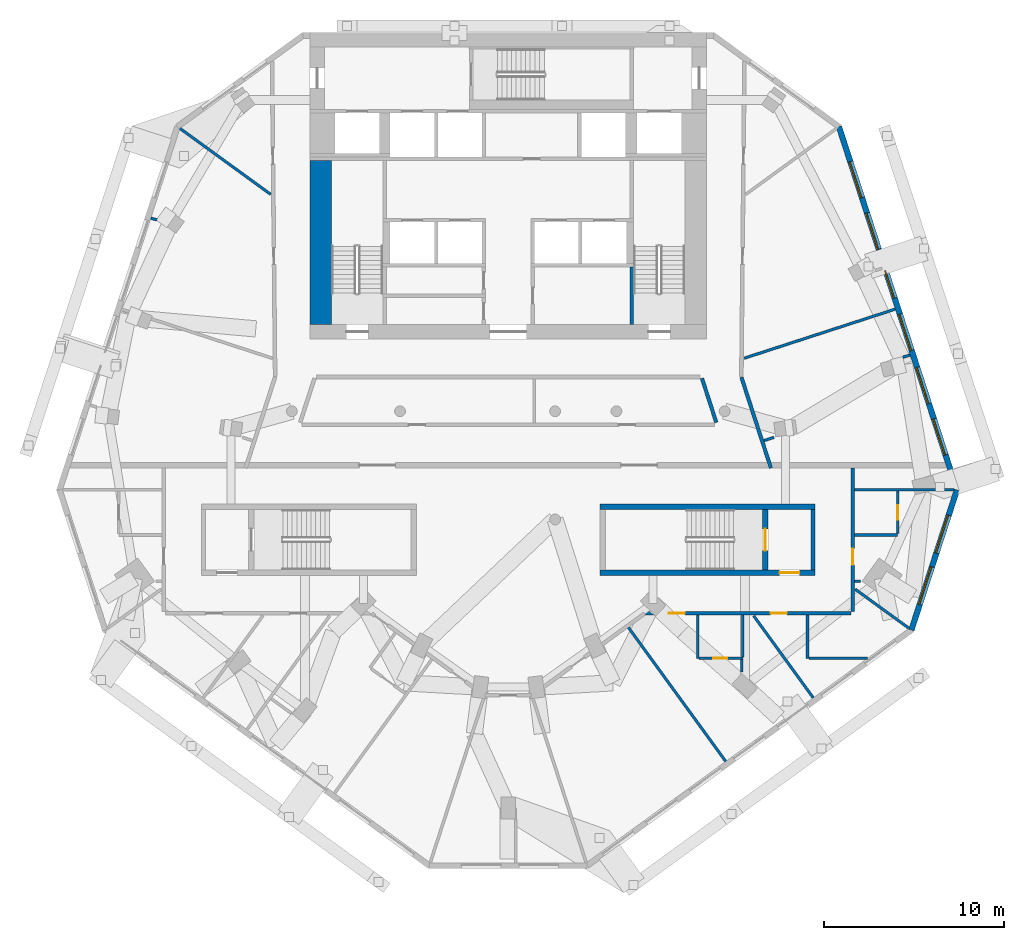
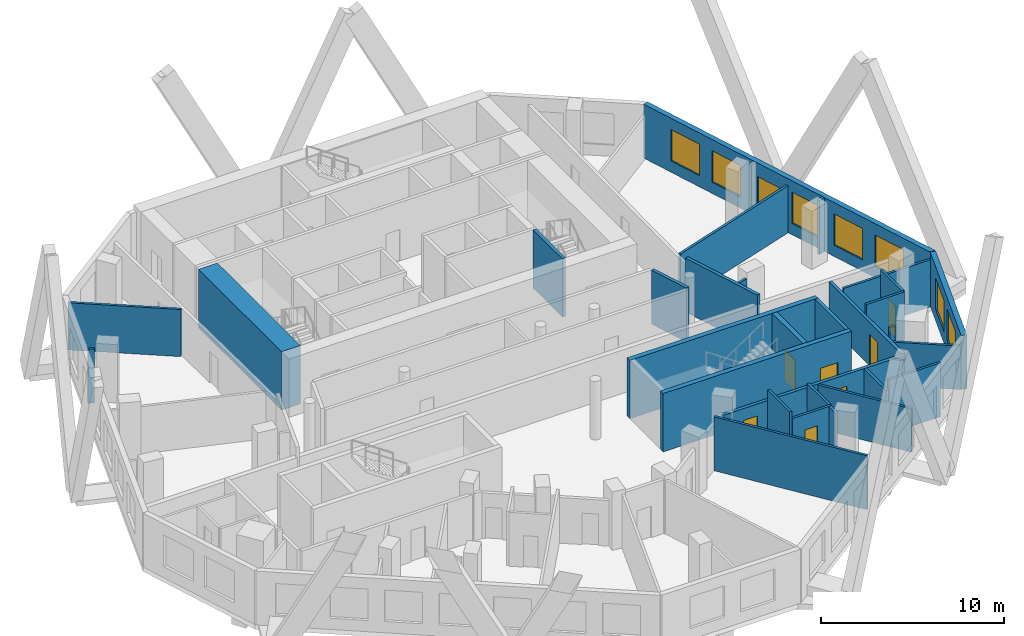
# One storey, part 6 of 10: 30 walls, 8 windows, 7 doors, 15 openings.
"""IFC4 building model written with IfcOpenShell, lengths in metres."""

from ifc_helpers import new_model, si_unit, direction, frame, frame_2d, origin, place, context, subcontext, project, spatial, rectangle, extrude, material, layer, layer_set, type_object, element, fill, save


model = new_model("IFC4")

# Units and contexts
model_context = context("Model", 3, precision=1e-05, world=origin(), true_north=direction((0.0, 1.0)))
body_context = subcontext(model_context, "Body", "Model", "MODEL_VIEW")
ifc_project = project(units=[si_unit("LENGTHUNIT", "METRE"), si_unit("AREAUNIT", "SQUARE_METRE"), si_unit("VOLUMEUNIT", "CUBIC_METRE"), si_unit("PLANEANGLEUNIT", "RADIAN"), si_unit("MASSUNIT", "GRAM", prefix="KILO")], contexts=[model_context])

# Site, building, storey
site_placement = place(None, origin())
site = spatial("IfcSite", under=ifc_project, at=site_placement, CompositionType="ELEMENT")
building_placement = place(site_placement, origin())
building = spatial("IfcBuilding", under=site, at=building_placement, Name="White Candle Pilgrim Tower", CompositionType="ELEMENT")
storey_placement = place(building_placement, frame((0.0, 0.0, 196.5)))
storey = spatial("IfcBuildingStorey", under=building, at=storey_placement, Name="L45", CompositionType="ELEMENT", Elevation=196.5)

# Walls
ifc_material_1 = material(Name="Concrete C50/60", Category="concrete")
ifc_layer_1 = layer(ifc_material_1, 0.199951171875)
ifc_layer_set_1 = layer_set([ifc_layer_1], Name="Core wall 200 mm Concrete C50/60")
wall_type_1 = type_object("IfcWallType", Name="Core wall 200 mm Concrete C50/60", PredefinedType="SHEAR", material=ifc_layer_set_1)
wall_1_placement = place(storey_placement, frame((86.89990234375, 58.199951171875, 0.0), z_axis=(0.0, 0.0, 1.0), x_axis=(0.0, 1.0, 0.0)))
element("IfcWall", 1, at=wall_1_placement, inside=storey, type_object=wall_type_1, Name="WL-L45-C08", PredefinedType="SHEAR", context=body_context, shape_type="SweptSolid", body=[
    extrude(rectangle(XDim=3.35009765625, YDim=0.199951171875, at=frame_2d((1.675048828125, 0.0))), origin(), (0.0, 0.0, 1.0), 3.89990234375),
])
ifc_material_2 = material(Name="Gypsum board on steel studs", Category="steel")
ifc_layer_2 = layer(ifc_material_2, 0.199951171875)
ifc_layer_set_2 = layer_set([ifc_layer_2], Name="Corridor wall 200 mm EI 45")
wall_type_2 = type_object("IfcWallType", Name="Corridor wall 200 mm EI 45", PredefinedType="PARTITIONING", material=ifc_layer_set_2)
wall_2_placement = place(storey_placement, frame((82.93310546875, 68.884521484375, 0.0), z_axis=(0.0, 0.0, 1.0), x_axis=(0.309009941901, -0.951058807754, 0.0)))
element("IfcWall", 2, at=wall_2_placement, inside=storey, type_object=wall_type_2, Name="WL-L45-P005", PredefinedType="PARTITIONING", context=body_context, shape_type="SweptSolid", body=[
    extrude(rectangle(XDim=5.29345703125, YDim=0.199951171875, at=frame_2d((2.646728515625, 0.0))), origin(), (0.0, 0.0, 1.0), 3.60009765625),
])

# Wall, opening, door
wall_3_placement = place(storey_placement, frame((89.10009765625, 63.85009765625, 0.0), z_axis=(0.0, 0.0, 1.0), x_axis=(0.0, -1.0, 0.0)))
wall_3 = element("IfcWall", 3, at=wall_3_placement, inside=storey, type_object=wall_type_2, Name="WL-L45-P006", PredefinedType="PARTITIONING", context=body_context, shape_type="SweptSolid", body=[
    extrude(rectangle(XDim=7.9501953125, YDim=0.199951171875, at=frame_2d((3.97509765625, 0.0))), origin(), (0.0, 0.0, 1.0), 2.89990234375),
])
opening_1_placement = place(wall_3_placement, frame((4.461181640625, 0.0, 0.0)))
opening_1 = element("IfcOpeningElement", 4, at=opening_1_placement, cuts=wall_3, Name="Opening T14-114", PredefinedType="OPENING", context=body_context, shape_type="SweptSolid", body=[
    extrude(rectangle(XDim=0.89990234375, YDim=2.10009765625, at=frame_2d((0.449951171875, 1.050048828125))), frame((0.0, 0.10986328125, 0.0), z_axis=(0.0, -1.0, 0.0), x_axis=(1.0, 0.0, 0.0)), (0.0, 0.0, 1.0), 0.219970703125),
])
ifc_material_3 = material(Name="Steel door leaf", Category="steel")
door_type_1 = type_object("IfcDoorType", Name="Fire door 900 x 2100 EI 30", OperationType="NOTDEFINED", PredefinedType="DOOR", material=ifc_material_3)
door_1_placement = place(opening_1_placement, origin())
door_1 = element("IfcDoor", 5, at=door_1_placement, inside=storey, type_object=door_type_1, Name="Door T14-114", OperationType="SINGLE_SWING_RIGHT", OverallHeight=2.10009765625, OverallWidth=0.89990234375, PredefinedType="DOOR", context=body_context, shape_type="SweptSolid", body=[
    extrude(rectangle(XDim=0.89990234375, YDim=2.10009765625, at=frame_2d((0.449951171875, 1.050048828125))), frame((0.0, 0.02490234375, 0.0), z_axis=(0.0, -1.0, 0.0), x_axis=(1.0, 0.0, 0.0)), (0.0, 0.0, 1.0), 0.050048828125),
])
fill(opening_1, door_1)

# Wall, openings, doors
wall_4_placement = place(storey_placement, frame((89.0, 55.800048828125, 0.0), z_axis=(0.0, 0.0, 1.0), x_axis=(-1.0, 0.0, 0.0)))
wall_4 = element("IfcWall", 6, at=wall_4_placement, inside=storey, type_object=wall_type_2, Name="WL-L45-P007", PredefinedType="PARTITIONING", context=body_context, shape_type="SweptSolid", body=[
    extrude(rectangle(XDim=11.382080078125, YDim=0.199951171875, at=frame_2d((5.69091796875, 0.0))), origin(), (0.0, 0.0, 1.0), 2.89990234375),
])
opening_2_placement = place(wall_4_placement, frame((9.20361328125, 0.0, 0.0)))
opening_2 = element("IfcOpeningElement", 7, at=opening_2_placement, cuts=wall_4, Name="Opening T14-111", PredefinedType="OPENING", context=body_context, shape_type="SweptSolid", body=[
    extrude(rectangle(XDim=0.89990234375, YDim=2.10009765625, at=frame_2d((0.449951171875, 1.050048828125))), frame((0.0, 0.10986328125, 0.0), z_axis=(0.0, -1.0, 0.0), x_axis=(1.0, 0.0, 0.0)), (0.0, 0.0, 1.0), 0.219970703125),
])
opening_3_placement = place(wall_4_placement, frame((3.54638671875, 0.0, 0.0)))
opening_3 = element("IfcOpeningElement", 8, at=opening_3_placement, cuts=wall_4, Name="Opening T14-112", PredefinedType="OPENING", context=body_context, shape_type="SweptSolid", body=[
    extrude(rectangle(XDim=0.89990234375, YDim=2.10009765625, at=frame_2d((0.449951171875, 1.050048828125))), frame((0.0, 0.10986328125, 0.0), z_axis=(0.0, -1.0, 0.0), x_axis=(1.0, 0.0, 0.0)), (0.0, 0.0, 1.0), 0.219970703125),
])
door_2_placement = place(opening_2_placement, origin())
door_2 = element("IfcDoor", 9, at=door_2_placement, inside=storey, type_object=door_type_1, Name="Door T14-111", OperationType="SINGLE_SWING_LEFT", OverallHeight=2.10009765625, OverallWidth=0.89990234375, PredefinedType="DOOR", context=body_context, shape_type="SweptSolid", body=[
    extrude(rectangle(XDim=0.89990234375, YDim=2.10009765625, at=frame_2d((0.449951171875, 1.050048828125))), frame((0.0, 0.02490234375, 0.0), z_axis=(0.0, -1.0, 0.0), x_axis=(1.0, 0.0, 0.0)), (0.0, 0.0, 1.0), 0.050048828125),
])
fill(opening_2, door_2)
door_3_placement = place(opening_3_placement, origin())
door_3 = element("IfcDoor", 10, at=door_3_placement, inside=storey, type_object=door_type_1, Name="Door T14-112", OperationType="SINGLE_SWING_RIGHT", OverallHeight=2.10009765625, OverallWidth=0.89990234375, PredefinedType="DOOR", context=body_context, shape_type="SweptSolid", body=[
    extrude(rectangle(XDim=0.89990234375, YDim=2.10009765625, at=frame_2d((0.449951171875, 1.050048828125))), frame((0.0, 0.02490234375, 0.0), z_axis=(0.0, -1.0, 0.0), x_axis=(1.0, 0.0, 0.0)), (0.0, 0.0, 1.0), 0.050048828125),
])
fill(opening_3, door_3)

# Wall
wall_5_placement = place(storey_placement, frame((81.538330078125, 66.380859375, 0.0), z_axis=(0.0, 0.0, 1.0), x_axis=(-0.309053927645, 0.951044515155, 0.0)))
element("IfcWall", 11, at=wall_5_placement, inside=storey, type_object=wall_type_2, Name="WL-L45-P014", PredefinedType="PARTITIONING", context=body_context, shape_type="SweptSolid", body=[
    extrude(rectangle(XDim=2.576171875, YDim=0.199951171875, at=frame_2d((1.2880859375, 0.0))), origin(), (0.0, 0.0, 1.0), 3.60009765625),
])

# Wall, openings, windows
ifc_material_4 = material(Name="Precast concrete C40/50", Category="concrete")
ifc_layer_3 = layer(ifc_material_4, 0.320068359375)
ifc_layer_set_3 = layer_set([ifc_layer_3], Name="Facade wall EW1 precast concrete C40/50 pier wall with timber-lined reveals")
wall_type_3 = type_object("IfcWallType", Name="Facade wall EW1 precast concrete C40/50 pier wall with timber-lined reveals", PredefinedType="SOLIDWALL", material=ifc_layer_set_3)
wall_6_placement = place(storey_placement, frame((92.361083984375, 54.86669921875, 0.0), z_axis=(0.0, 0.0, 1.0), x_axis=(0.309006387978, 0.951059962457, 0.0)))
wall_6 = element("IfcWall", 12, at=wall_6_placement, inside=storey, type_object=wall_type_3, Name="Facade wall L45 E chamfer", PredefinedType="SOLIDWALL", context=body_context, shape_type="SweptSolid", body=[
    extrude(rectangle(XDim=8.175048828125, YDim=0.320068359375, at=frame_2d((4.08740234375, 0.0))), origin(), (0.0, 0.0, 1.0), 3.60009765625),
])
opening_4_placement = place(wall_6_placement, frame((1.487548828125, 0.0, 0.75)))
opening_4 = element("IfcOpeningElement", 13, at=opening_4_placement, cuts=wall_6, Name="Opening W4", PredefinedType="OPENING", context=body_context, shape_type="SweptSolid", body=[
    extrude(rectangle(XDim=2.199951171875, YDim=2.10009765625, at=frame_2d((1.10009765625, 1.050048828125))), frame((0.0, 0.169921875, 0.0), z_axis=(0.0, -1.0, 0.0), x_axis=(1.0, 0.0, 0.0)), (0.0, 0.0, 1.0), 0.340087890625),
])
opening_5_placement = place(wall_6_placement, frame((4.487548828125, 0.0, 0.75)))
opening_5 = element("IfcOpeningElement", 14, at=opening_5_placement, cuts=wall_6, Name="Opening W4", PredefinedType="OPENING", context=body_context, shape_type="SweptSolid", body=[
    extrude(rectangle(XDim=2.199951171875, YDim=2.10009765625, at=frame_2d((1.10009765625, 1.050048828125))), frame((0.0, 0.169921875, 0.0), z_axis=(0.0, -1.0, 0.0), x_axis=(1.0, 0.0, 0.0)), (0.0, 0.0, 1.0), 0.340087890625),
])
ifc_material_5 = material(Name="Timber frame with triple glazing", Category="wood")
window_type_1 = type_object("IfcWindowType", Name="Window W4 2200x2100 timber frame triple glazing", PartitioningType="SINGLE_PANEL", PredefinedType="WINDOW", material=ifc_material_5)
window_1_placement = place(opening_4_placement, origin())
window_1 = element("IfcWindow", 15, at=window_1_placement, inside=storey, type_object=window_type_1, Name="Window W4 L45 E chamfer 1", OverallHeight=2.10009765625, OverallWidth=2.199951171875, PartitioningType="SINGLE_PANEL", PredefinedType="WINDOW", context=body_context, shape_type="SweptSolid", body=[
    extrude(rectangle(XDim=2.199951171875, YDim=2.10009765625, at=frame_2d((1.10009765625, 1.050048828125))), frame((0.0, 0.070068359375, 0.0), z_axis=(0.0, -1.0, 0.0), x_axis=(1.0, 0.0, 0.0)), (0.0, 0.0, 1.0), 0.06005859375),
])
fill(opening_4, window_1)
window_2_placement = place(opening_5_placement, origin())
window_2 = element("IfcWindow", 16, at=window_2_placement, inside=storey, type_object=window_type_1, Name="Window W4 L45 E chamfer 2", OverallHeight=2.10009765625, OverallWidth=2.199951171875, PartitioningType="SINGLE_PANEL", PredefinedType="WINDOW", context=body_context, shape_type="SweptSolid", body=[
    extrude(rectangle(XDim=2.199951171875, YDim=2.10009765625, at=frame_2d((1.10009765625, 1.050048828125))), frame((0.0, 0.070068359375, 0.0), z_axis=(0.0, -1.0, 0.0), x_axis=(1.0, 0.0, 0.0)), (0.0, 0.0, 1.0), 0.06005859375),
])
fill(opening_5, window_2)

wall_7_placement = place(storey_placement, frame((94.88720703125, 62.6416015625, 0.0), z_axis=(0.0, 0.0, 1.0), x_axis=(-0.309019087741, 0.951055836117, 0.0)))
wall_7 = element("IfcWall", 17, at=wall_7_placement, inside=storey, type_object=wall_type_3, Name="Facade wall L45 ENE", PredefinedType="SOLIDWALL", context=body_context, shape_type="SweptSolid", body=[
    extrude(rectangle(XDim=21.180419921875, YDim=0.320068359375, at=frame_2d((10.59033203125, 0.0))), origin(), (0.0, 0.0, 1.0), 3.60009765625),
])
opening_6_placement = place(wall_7_placement, frame((2.040283203125, 0.0, 0.75)))
opening_6 = element("IfcOpeningElement", 18, at=opening_6_placement, cuts=wall_7, Name="Opening W3", PredefinedType="OPENING", context=body_context, shape_type="SweptSolid", body=[
    extrude(rectangle(XDim=2.10009765625, YDim=2.10009765625, at=frame_2d((1.050048828125, 1.050048828125))), frame((0.0, 0.169921875, 0.0), z_axis=(0.0, -1.0, 0.0), x_axis=(1.0, 0.0, 0.0)), (0.0, 0.0, 1.0), 0.340087890625),
])
opening_7_placement = place(wall_7_placement, frame((5.040283203125, 0.0, 0.75)))
opening_7 = element("IfcOpeningElement", 19, at=opening_7_placement, cuts=wall_7, Name="Opening W3", PredefinedType="OPENING", context=body_context, shape_type="SweptSolid", body=[
    extrude(rectangle(XDim=2.10009765625, YDim=2.10009765625, at=frame_2d((1.050048828125, 1.050048828125))), frame((0.0, 0.169921875, 0.0), z_axis=(0.0, -1.0, 0.0), x_axis=(1.0, 0.0, 0.0)), (0.0, 0.0, 1.0), 0.340087890625),
])
opening_8_placement = place(wall_7_placement, frame((8.14013671875, 0.0, 0.75)))
opening_8 = element("IfcOpeningElement", 20, at=opening_8_placement, cuts=wall_7, Name="Opening W3", PredefinedType="OPENING", context=body_context, shape_type="SweptSolid", body=[
    extrude(rectangle(XDim=2.10009765625, YDim=2.10009765625, at=frame_2d((1.050048828125, 1.050048828125))), frame((0.0, 0.169921875, 0.0), z_axis=(0.0, -1.0, 0.0), x_axis=(1.0, 0.0, 0.0)), (0.0, 0.0, 1.0), 0.340087890625),
])
opening_9_placement = place(wall_7_placement, frame((11.190185546875, 0.0, 0.89990234375)))
opening_9 = element("IfcOpeningElement", 21, at=opening_9_placement, cuts=wall_7, Name="Opening W2", PredefinedType="OPENING", context=body_context, shape_type="SweptSolid", body=[
    extrude(rectangle(XDim=1.60009765625, YDim=1.800048828125, at=frame_2d((0.800048828125, 0.89990234375))), frame((0.0, 0.169921875, 0.0), z_axis=(0.0, -1.0, 0.0), x_axis=(1.0, 0.0, 0.0)), (0.0, 0.0, 1.0), 0.340087890625),
])
opening_10_placement = place(wall_7_placement, frame((14.040283203125, 0.0, 0.75)))
opening_10 = element("IfcOpeningElement", 22, at=opening_10_placement, cuts=wall_7, Name="Opening W3", PredefinedType="OPENING", context=body_context, shape_type="SweptSolid", body=[
    extrude(rectangle(XDim=2.10009765625, YDim=2.10009765625, at=frame_2d((1.050048828125, 1.050048828125))), frame((0.0, 0.169921875, 0.0), z_axis=(0.0, -1.0, 0.0), x_axis=(1.0, 0.0, 0.0)), (0.0, 0.0, 1.0), 0.340087890625),
])
opening_11_placement = place(wall_7_placement, frame((17.040283203125, 0.0, 0.75)))
opening_11 = element("IfcOpeningElement", 23, at=opening_11_placement, cuts=wall_7, Name="Opening W3", PredefinedType="OPENING", context=body_context, shape_type="SweptSolid", body=[
    extrude(rectangle(XDim=2.10009765625, YDim=2.10009765625, at=frame_2d((1.050048828125, 1.050048828125))), frame((0.0, 0.169921875, 0.0), z_axis=(0.0, -1.0, 0.0), x_axis=(1.0, 0.0, 0.0)), (0.0, 0.0, 1.0), 0.340087890625),
])
window_type_2 = type_object("IfcWindowType", Name="Window W2 1600x1800 timber frame triple glazing", PartitioningType="SINGLE_PANEL", PredefinedType="WINDOW", material=ifc_material_5)
window_3_placement = place(opening_9_placement, origin())
window_3 = element("IfcWindow", 24, at=window_3_placement, inside=storey, type_object=window_type_2, Name="Window W2 L45 ENE 4", OverallHeight=1.800048828125, OverallWidth=1.60009765625, PartitioningType="SINGLE_PANEL", PredefinedType="WINDOW", context=body_context, shape_type="SweptSolid", body=[
    extrude(rectangle(XDim=1.60009765625, YDim=1.800048828125, at=frame_2d((0.800048828125, 0.89990234375))), frame((0.0, 0.070068359375, 0.0), z_axis=(0.0, -1.0, 0.0), x_axis=(1.0, 0.0, 0.0)), (0.0, 0.0, 1.0), 0.06005859375),
])
fill(opening_9, window_3)
window_type_3 = type_object("IfcWindowType", Name="Window W3 2100x2100 timber frame triple glazing", PartitioningType="SINGLE_PANEL", PredefinedType="WINDOW", material=ifc_material_5)
window_4_placement = place(opening_6_placement, origin())
window_4 = element("IfcWindow", 25, at=window_4_placement, inside=storey, type_object=window_type_3, Name="Window W3 L45 ENE 1", OverallHeight=2.10009765625, OverallWidth=2.10009765625, PartitioningType="SINGLE_PANEL", PredefinedType="WINDOW", context=body_context, shape_type="SweptSolid", body=[
    extrude(rectangle(XDim=2.10009765625, YDim=2.10009765625, at=frame_2d((1.050048828125, 1.050048828125))), frame((0.0, 0.070068359375, 0.0), z_axis=(0.0, -1.0, 0.0), x_axis=(1.0, 0.0, 0.0)), (0.0, 0.0, 1.0), 0.06005859375),
])
fill(opening_6, window_4)
window_5_placement = place(opening_7_placement, origin())
window_5 = element("IfcWindow", 26, at=window_5_placement, inside=storey, type_object=window_type_3, Name="Window W3 L45 ENE 2", OverallHeight=2.10009765625, OverallWidth=2.10009765625, PartitioningType="SINGLE_PANEL", PredefinedType="WINDOW", context=body_context, shape_type="SweptSolid", body=[
    extrude(rectangle(XDim=2.10009765625, YDim=2.10009765625, at=frame_2d((1.050048828125, 1.050048828125))), frame((0.0, 0.070068359375, 0.0), z_axis=(0.0, -1.0, 0.0), x_axis=(1.0, 0.0, 0.0)), (0.0, 0.0, 1.0), 0.06005859375),
])
fill(opening_7, window_5)
window_6_placement = place(opening_8_placement, origin())
window_6 = element("IfcWindow", 27, at=window_6_placement, inside=storey, type_object=window_type_3, Name="Window W3 L45 ENE 3", OverallHeight=2.10009765625, OverallWidth=2.10009765625, PartitioningType="SINGLE_PANEL", PredefinedType="WINDOW", context=body_context, shape_type="SweptSolid", body=[
    extrude(rectangle(XDim=2.10009765625, YDim=2.10009765625, at=frame_2d((1.050048828125, 1.050048828125))), frame((0.0, 0.070068359375, 0.0), z_axis=(0.0, -1.0, 0.0), x_axis=(1.0, 0.0, 0.0)), (0.0, 0.0, 1.0), 0.06005859375),
])
fill(opening_8, window_6)
window_7_placement = place(opening_10_placement, origin())
window_7 = element("IfcWindow", 28, at=window_7_placement, inside=storey, type_object=window_type_3, Name="Window W3 L45 ENE 5", OverallHeight=2.10009765625, OverallWidth=2.10009765625, PartitioningType="SINGLE_PANEL", PredefinedType="WINDOW", context=body_context, shape_type="SweptSolid", body=[
    extrude(rectangle(XDim=2.10009765625, YDim=2.10009765625, at=frame_2d((1.050048828125, 1.050048828125))), frame((0.0, 0.070068359375, 0.0), z_axis=(0.0, -1.0, 0.0), x_axis=(1.0, 0.0, 0.0)), (0.0, 0.0, 1.0), 0.06005859375),
])
fill(opening_10, window_7)
window_8_placement = place(opening_11_placement, origin())
window_8 = element("IfcWindow", 29, at=window_8_placement, inside=storey, type_object=window_type_3, Name="Window W3 L45 ENE 6", OverallHeight=2.10009765625, OverallWidth=2.10009765625, PartitioningType="SINGLE_PANEL", PredefinedType="WINDOW", context=body_context, shape_type="SweptSolid", body=[
    extrude(rectangle(XDim=2.10009765625, YDim=2.10009765625, at=frame_2d((1.050048828125, 1.050048828125))), frame((0.0, 0.070068359375, 0.0), z_axis=(0.0, -1.0, 0.0), x_axis=(1.0, 0.0, 0.0)), (0.0, 0.0, 1.0), 0.06005859375),
])
fill(opening_11, window_8)

# Walls
ifc_layer_4 = layer(ifc_material_2, 0.14990234375)
ifc_layer_set_4 = layer_set([ifc_layer_4], Name="Partition 150 mm EI 60")
wall_type_4 = type_object("IfcWallType", Name="Partition 150 mm EI 60", PredefinedType="PARTITIONING", material=ifc_layer_set_4)
wall_8_placement = place(storey_placement, frame((51.7939453125, 82.6865234375, 0.0), z_axis=(0.0, 0.0, 1.0), x_axis=(0.809027823237, -0.587770347354, 0.0)))
element("IfcWall", 30, at=wall_8_placement, inside=storey, type_object=wall_type_4, Name="WL-L45-P017", PredefinedType="PARTITIONING", context=body_context, shape_type="SweptSolid", body=[
    extrude(rectangle(XDim=6.22216796875, YDim=0.14990234375, at=frame_2d((3.111083984375, 0.0))), origin(), (0.0, 0.0, 1.0), 3.14990234375),
])
wall_9_placement = place(storey_placement, frame((92.224853515625, 54.965576171875, 0.0), z_axis=(0.0, 0.0, 1.0), x_axis=(-0.809028266422, 0.587769737338, 0.0)))
element("IfcWall", 31, at=wall_9_placement, inside=storey, type_object=wall_type_4, Name="WL-L45-P022", PredefinedType="PARTITIONING", context=body_context, shape_type="SweptSolid", body=[
    extrude(rectangle(XDim=3.684326171875, YDim=0.14990234375, at=frame_2d((1.84228515625, 0.0))), origin(), (0.0, 0.0, 1.0), 2.89990234375),
])
wall_10_placement = place(storey_placement, frame((94.718994140625, 62.6416015625, 0.0), z_axis=(0.0, 0.0, 1.0), x_axis=(-1.0, 0.0, 0.0)))
element("IfcWall", 32, at=wall_10_placement, inside=storey, type_object=wall_type_4, Name="WL-L45-P023", PredefinedType="PARTITIONING", context=body_context, shape_type="SweptSolid", body=[
    extrude(rectangle(XDim=5.51904296875, YDim=0.14990234375, at=frame_2d((2.759521484375, 0.0))), origin(), (0.0, 0.0, 1.0), 3.14990234375),
])
wall_11_placement = place(storey_placement, frame((82.061767578125, 47.58154296875, 0.0), z_axis=(0.0, 0.0, 1.0), x_axis=(-0.587777877013, 0.809022352778, 0.0)))
element("IfcWall", 33, at=wall_11_placement, inside=storey, type_object=wall_type_4, Name="WL-L45-P033", PredefinedType="PARTITIONING", context=body_context, shape_type="SweptSolid", body=[
    extrude(rectangle(XDim=9.179931640625, YDim=0.14990234375, at=frame_2d((4.58984375, 0.0))), origin(), (0.0, 0.0, 1.0), 3.60009765625),
])
wall_12_placement = place(storey_placement, frame((86.916015625, 51.1083984375, 0.0), z_axis=(0.0, 0.0, 1.0), x_axis=(-0.587804932614, 0.809002695419, 0.0)))
element("IfcWall", 34, at=wall_12_placement, inside=storey, type_object=wall_type_4, Name="WL-L45-P034", PredefinedType="PARTITIONING", context=body_context, shape_type="SweptSolid", body=[
    extrude(rectangle(XDim=5.621337890625, YDim=0.14990234375, at=frame_2d((2.810546875, 0.0))), origin(), (0.0, 0.0, 1.0), 2.89990234375),
])
wall_13_placement = place(storey_placement, frame((80.507080078125, 55.699951171875, 0.0), z_axis=(0.0, 0.0, 1.0), x_axis=(0.0, -1.0, 0.0)))
element("IfcWall", 35, at=wall_13_placement, inside=storey, type_object=wall_type_4, Name="WL-L45-P035", PredefinedType="PARTITIONING", context=body_context, shape_type="SweptSolid", body=[
    extrude(rectangle(XDim=2.39990234375, YDim=0.14990234375, at=frame_2d((1.199951171875, 0.0))), origin(), (0.0, 0.0, 1.0), 3.60009765625),
])

# Wall, opening, door
wall_14_placement = place(storey_placement, frame((83.007080078125, 53.300048828125, 0.0), z_axis=(0.0, 0.0, 1.0), x_axis=(-1.0, 0.0, 0.0)))
wall_14 = element("IfcWall", 36, at=wall_14_placement, inside=storey, type_object=wall_type_4, Name="WL-L45-P036", PredefinedType="PARTITIONING", context=body_context, shape_type="SweptSolid", body=[
    extrude(rectangle(XDim=2.4248046875, YDim=0.14990234375, at=frame_2d((1.21240234375, 0.0))), origin(), (0.0, 0.0, 1.0), 3.14990234375),
])
opening_12_placement = place(wall_14_placement, frame((0.85009765625, 0.0, 0.0)))
opening_12 = element("IfcOpeningElement", 37, at=opening_12_placement, cuts=wall_14, Name="Opening T14-110", PredefinedType="OPENING", context=body_context, shape_type="SweptSolid", body=[
    extrude(rectangle(XDim=0.800048828125, YDim=2.10009765625, at=frame_2d((0.39990234375, 1.050048828125))), frame((0.0, 0.0849609375, 0.0), z_axis=(0.0, -1.0, 0.0), x_axis=(1.0, 0.0, 0.0)), (0.0, 0.0, 1.0), 0.169921875),
])
door_type_2 = type_object("IfcDoorType", Name="Fire door 800 x 2100 EI 30", OperationType="NOTDEFINED", PredefinedType="DOOR", material=ifc_material_3)
door_4_placement = place(opening_12_placement, origin())
door_4 = element("IfcDoor", 38, at=door_4_placement, inside=storey, type_object=door_type_2, Name="Door T14-110", OperationType="SINGLE_SWING_RIGHT", OverallHeight=2.10009765625, OverallWidth=0.800048828125, PredefinedType="DOOR", context=body_context, shape_type="SweptSolid", body=[
    extrude(rectangle(XDim=0.800048828125, YDim=2.10009765625, at=frame_2d((0.39990234375, 1.050048828125))), frame((0.0, 0.02490234375, 0.0), z_axis=(0.0, -1.0, 0.0), x_axis=(1.0, 0.0, 0.0)), (0.0, 0.0, 1.0), 0.050048828125),
])
fill(opening_12, door_4)

# Walls
wall_15_placement = place(storey_placement, frame((83.007080078125, 55.699951171875, 0.0), z_axis=(0.0, 0.0, 1.0), x_axis=(0.0, -1.0, 0.0)))
element("IfcWall", 39, at=wall_15_placement, inside=storey, type_object=wall_type_4, Name="WL-L45-P037", PredefinedType="PARTITIONING", context=body_context, shape_type="SweptSolid", body=[
    extrude(rectangle(XDim=2.324951171875, YDim=0.14990234375, at=frame_2d((1.16259765625, 0.0))), origin(), (0.0, 0.0, 1.0), 3.14990234375),
])
wall_16_placement = place(storey_placement, frame((86.60009765625, 55.699951171875, 0.0), z_axis=(0.0, 0.0, 1.0), x_axis=(0.0, -1.0, 0.0)))
element("IfcWall", 40, at=wall_16_placement, inside=storey, type_object=wall_type_4, Name="WL-L45-P038", PredefinedType="PARTITIONING", context=body_context, shape_type="SweptSolid", body=[
    extrude(rectangle(XDim=2.39990234375, YDim=0.14990234375, at=frame_2d((1.199951171875, 0.0))), origin(), (0.0, 0.0, 1.0), 2.89990234375),
])
wall_17_placement = place(storey_placement, frame((89.9326171875, 53.300048828125, 0.0), z_axis=(0.0, 0.0, 1.0), x_axis=(-1.0, 0.0, 0.0)))
element("IfcWall", 41, at=wall_17_placement, inside=storey, type_object=wall_type_4, Name="WL-L45-P039", PredefinedType="PARTITIONING", context=body_context, shape_type="SweptSolid", body=[
    extrude(rectangle(XDim=3.257568359375, YDim=0.14990234375, at=frame_2d((1.62890625, 0.0))), origin(), (0.0, 0.0, 1.0), 3.60009765625),
])
wall_18_placement = place(storey_placement, frame((89.199951171875, 60.1416015625, 0.0), z_axis=(0.0, 0.0, 1.0), x_axis=(1.0, 0.0, 0.0)))
element("IfcWall", 42, at=wall_18_placement, inside=storey, type_object=wall_type_4, Name="WL-L45-P040", PredefinedType="PARTITIONING", context=body_context, shape_type="SweptSolid", body=[
    extrude(rectangle(XDim=2.400146484375, YDim=0.14990234375, at=frame_2d((1.2001953125, 0.0))), origin(), (0.0, 0.0, 1.0), 3.60009765625),
])

# Wall, opening, door
wall_19_placement = place(storey_placement, frame((91.60009765625, 62.566650390625, 0.0), z_axis=(0.0, 0.0, 1.0), x_axis=(0.0, -1.0, 0.0)))
wall_19 = element("IfcWall", 43, at=wall_19_placement, inside=storey, type_object=wall_type_4, Name="WL-L45-P041", PredefinedType="PARTITIONING", context=body_context, shape_type="SweptSolid", body=[
    extrude(rectangle(XDim=2.35009765625, YDim=0.14990234375, at=frame_2d((1.175048828125, 0.0))), origin(), (0.0, 0.0, 1.0), 3.60009765625),
])
opening_13_placement = place(wall_19_placement, frame((0.77490234375, 0.0, 0.0)))
opening_13 = element("IfcOpeningElement", 44, at=opening_13_placement, cuts=wall_19, Name="Opening T14-113", PredefinedType="OPENING", context=body_context, shape_type="SweptSolid", body=[
    extrude(rectangle(XDim=0.800048828125, YDim=2.10009765625, at=frame_2d((0.39990234375, 1.050048828125))), frame((0.0, 0.0849609375, 0.0), z_axis=(0.0, -1.0, 0.0), x_axis=(1.0, 0.0, 0.0)), (0.0, 0.0, 1.0), 0.169921875),
])
door_5_placement = place(opening_13_placement, origin())
door_5 = element("IfcDoor", 45, at=door_5_placement, inside=storey, type_object=door_type_2, Name="Door T14-113", OperationType="SINGLE_SWING_LEFT", OverallHeight=2.10009765625, OverallWidth=0.800048828125, PredefinedType="DOOR", context=body_context, shape_type="SweptSolid", body=[
    extrude(rectangle(XDim=0.800048828125, YDim=2.10009765625, at=frame_2d((0.39990234375, 1.050048828125))), frame((0.0, 0.02490234375, 0.0), z_axis=(0.0, -1.0, 0.0), x_axis=(1.0, 0.0, 0.0)), (0.0, 0.0, 1.0), 0.050048828125),
])
fill(opening_13, door_5)

# Walls
wall_20_placement = place(storey_placement, frame((91.46240234375, 72.6640625, 0.0), z_axis=(0.0, 0.0, 1.0), x_axis=(-0.951054829907, -0.309022184495, 0.0)))
element("IfcWall", 46, at=wall_20_placement, inside=storey, type_object=wall_type_4, Name="WL-L45-P042", PredefinedType="PARTITIONING", context=body_context, shape_type="SweptSolid", body=[
    extrude(rectangle(XDim=8.813720703125, YDim=0.14990234375, at=frame_2d((4.40673828125, 0.0))), origin(), (0.0, 0.0, 1.0), 3.14990234375),
])
wall_21_placement = place(storey_placement, frame((82.951416015625, 52.5517578125, 0.0), z_axis=(0.0, 0.0, 1.0), x_axis=(0.0, 1.0, 0.0)))
element("IfcWall", 47, at=wall_21_placement, inside=storey, type_object=wall_type_4, Name="WL-L45-P047", PredefinedType="PARTITIONING", context=body_context, shape_type="SweptSolid", body=[
    extrude(rectangle(XDim=0.67333984375, YDim=0.14990234375, at=frame_2d((0.336669921875, 0.0))), origin(), (0.0, 0.0, 1.0), 3.14990234375),
])
wall_22_placement = place(storey_placement, frame((89.53271484375, 57.57568359375, 0.0), z_axis=(0.0, 0.0, 1.0), x_axis=(-1.0, 0.0, 0.0)))
element("IfcWall", 48, at=wall_22_placement, inside=storey, type_object=wall_type_4, Name="WL-L45-P048", PredefinedType="PARTITIONING", context=body_context, shape_type="SweptSolid", body=[
    extrude(rectangle(XDim=0.332763671875, YDim=0.14990234375, at=frame_2d((0.16650390625, 0.0))), origin(), (0.0, 0.0, 1.0), 3.60009765625),
])
wall_23_placement = place(storey_placement, frame((91.887451171875, 69.995849609375, 0.0), z_axis=(0.0, 0.0, 1.0), x_axis=(0.951093789288, 0.30890225635, 0.0)))
element("IfcWall", 49, at=wall_23_placement, inside=storey, type_object=wall_type_4, Name="WL-L45-P049", PredefinedType="PARTITIONING", context=body_context, shape_type="SweptSolid", body=[
    extrude(rectangle(XDim=0.42041015625, YDim=0.14990234375, at=frame_2d((0.210205078125, 0.0))), origin(), (0.0, 0.0, 1.0), 3.60009765625),
])
wall_24_placement = place(storey_placement, frame((50.514404296875, 77.607421875, 0.0), z_axis=(0.0, 0.0, 1.0), x_axis=(-0.951079872945, 0.308945100753, 0.0)))
element("IfcWall", 50, at=wall_24_placement, inside=storey, type_object=wall_type_4, Name="WL-L45-P051", PredefinedType="PARTITIONING", context=body_context, shape_type="SweptSolid", body=[
    extrude(rectangle(XDim=0.3525390625, YDim=0.14990234375, at=frame_2d((0.17626953125, 0.0))), origin(), (0.0, 0.0, 1.0), 3.60009765625),
])
wall_25_placement = place(storey_placement, frame((84.7431640625, 65.55517578125, 0.0), z_axis=(0.0, 0.0, 1.0), x_axis=(-0.9510855144, -0.308927733131, 0.0)))
element("IfcWall", 51, at=wall_25_placement, inside=storey, type_object=wall_type_4, Name="WL-L45-P053", PredefinedType="PARTITIONING", context=body_context, shape_type="SweptSolid", body=[
    extrude(rectangle(XDim=0.5927734375, YDim=0.14990234375, at=frame_2d((0.29638671875, 0.0))), origin(), (0.0, 0.0, 1.0), 3.60009765625),
])
ifc_layer_5 = layer(ifc_material_1, 1.199951171875)
ifc_layer_set_5 = layer_set([ifc_layer_5], Name="Stair shaft wall 1200 mm Concrete C50/60")
wall_type_5 = type_object("IfcWallType", Name="Stair shaft wall 1200 mm Concrete C50/60", PredefinedType="SHEAR", material=ifc_layer_set_5)
wall_26_placement = place(storey_placement, frame((59.60009765625, 71.800048828125, 0.0), z_axis=(0.0, 0.0, 1.0), x_axis=(0.0, 1.0, 0.0)))
element("IfcWall", 52, at=wall_26_placement, inside=storey, type_object=wall_type_5, Name="WL-L45-C12", PredefinedType="SHEAR", context=body_context, shape_type="SweptSolid", body=[
    extrude(rectangle(XDim=9.099853515625, YDim=1.199951171875, at=frame_2d((4.5498046875, 0.0))), origin(), (0.0, 0.0, 1.0), 3.89990234375),
])
ifc_layer_6 = layer(ifc_material_1, 0.199951171875)
ifc_layer_set_6 = layer_set([ifc_layer_6], Name="Stair shaft wall 200 mm Concrete C50/60")
wall_type_6 = type_object("IfcWallType", Name="Stair shaft wall 200 mm Concrete C50/60", PredefinedType="SHEAR", material=ifc_layer_set_6)
wall_27_placement = place(storey_placement, frame((76.85009765625, 71.800048828125, 0.0), z_axis=(0.0, 0.0, 1.0), x_axis=(0.0, 1.0, 0.0)))
element("IfcWall", 53, at=wall_27_placement, inside=storey, type_object=wall_type_6, Name="WL-L45-C16", PredefinedType="SHEAR", context=body_context, shape_type="SweptSolid", body=[
    extrude(rectangle(XDim=3.199951171875, YDim=0.199951171875, at=frame_2d((1.60009765625, 0.0))), origin(), (0.0, 0.0, 1.0), 3.89990234375),
])

# Wall, opening, door
ifc_layer_7 = layer(ifc_material_1, 0.300048828125)
ifc_layer_set_7 = layer_set([ifc_layer_7], Name="Stair shaft wall 300 mm Concrete C50/60")
wall_type_7 = type_object("IfcWallType", Name="Stair shaft wall 300 mm Concrete C50/60", PredefinedType="SHEAR", material=ifc_layer_set_7)
wall_28_placement = place(storey_placement, frame((75.10009765625, 58.050048828125, 0.0), z_axis=(0.0, 0.0, 1.0), x_axis=(1.0, 0.0, 0.0)))
wall_28 = element("IfcWall", 54, at=wall_28_placement, inside=storey, type_object=wall_type_7, Name="WL-L45-C02", PredefinedType="SHEAR", context=body_context, shape_type="SweptSolid", body=[
    extrude(rectangle(XDim=11.89990234375, YDim=0.300048828125, at=frame_2d((5.949951171875, 0.0))), origin(), (0.0, 0.0, 1.0), 3.89990234375),
])
opening_14_placement = place(wall_28_placement, frame((9.949951171875, 0.0, 0.0)))
opening_14 = element("IfcOpeningElement", 55, at=opening_14_placement, cuts=wall_28, Name="Opening T14-012", PredefinedType="OPENING", context=body_context, shape_type="SweptSolid", body=[
    extrude(rectangle(XDim=1.10009765625, YDim=2.10009765625, at=frame_2d((0.550048828125, 1.050048828125))), frame((0.0, 0.159912109375, 0.0), z_axis=(0.0, -1.0, 0.0), x_axis=(1.0, 0.0, 0.0)), (0.0, 0.0, 1.0), 0.320068359375),
])
door_type_3 = type_object("IfcDoorType", Name="Fire door 1100 x 2100 EI 60", OperationType="NOTDEFINED", PredefinedType="DOOR", material=ifc_material_3)
door_6_placement = place(opening_14_placement, origin())
door_6 = element("IfcDoor", 56, at=door_6_placement, inside=storey, type_object=door_type_3, Name="Door T14-012", OperationType="SINGLE_SWING_RIGHT", OverallHeight=2.10009765625, OverallWidth=1.10009765625, PredefinedType="DOOR", context=body_context, shape_type="SweptSolid", body=[
    extrude(rectangle(XDim=1.10009765625, YDim=2.10009765625, at=frame_2d((0.550048828125, 1.050048828125))), frame((0.0, 0.02490234375, 0.0), z_axis=(0.0, -1.0, 0.0), x_axis=(1.0, 0.0, 0.0)), (0.0, 0.0, 1.0), 0.050048828125),
])
fill(opening_14, door_6)

wall_29_placement = place(storey_placement, frame((84.25, 58.199951171875, 0.0), z_axis=(0.0, 0.0, 1.0), x_axis=(0.0, 1.0, 0.0)))
wall_29 = element("IfcWall", 57, at=wall_29_placement, inside=storey, type_object=wall_type_7, Name="WL-L45-C07", PredefinedType="SHEAR", context=body_context, shape_type="SweptSolid", body=[
    extrude(rectangle(XDim=3.35009765625, YDim=0.300048828125, at=frame_2d((1.675048828125, 0.0))), origin(), (0.0, 0.0, 1.0), 3.89990234375),
])
opening_15_placement = place(wall_29_placement, frame((1.074951171875, 0.0, 0.0)))
opening_15 = element("IfcOpeningElement", 58, at=opening_15_placement, cuts=wall_29, Name="Opening T14-013", PredefinedType="OPENING", context=body_context, shape_type="SweptSolid", body=[
    extrude(rectangle(XDim=1.199951171875, YDim=2.10009765625, at=frame_2d((0.60009765625, 1.050048828125))), frame((0.0, 0.159912109375, 0.0), z_axis=(0.0, -1.0, 0.0), x_axis=(1.0, 0.0, 0.0)), (0.0, 0.0, 1.0), 0.320068359375),
])
door_type_4 = type_object("IfcDoorType", Name="Fire door 1200 x 2100 EI 60", OperationType="NOTDEFINED", PredefinedType="DOOR", material=ifc_material_3)
door_7_placement = place(opening_15_placement, origin())
door_7 = element("IfcDoor", 59, at=door_7_placement, inside=storey, type_object=door_type_4, Name="Door T14-013", OperationType="SINGLE_SWING_LEFT", OverallHeight=2.10009765625, OverallWidth=1.199951171875, PredefinedType="DOOR", context=body_context, shape_type="SweptSolid", body=[
    extrude(rectangle(XDim=1.199951171875, YDim=2.10009765625, at=frame_2d((0.60009765625, 1.050048828125))), frame((0.0, 0.02490234375, 0.0), z_axis=(0.0, -1.0, 0.0), x_axis=(1.0, 0.0, 0.0)), (0.0, 0.0, 1.0), 0.050048828125),
])
fill(opening_15, door_7)

# Wall
wall_30_placement = place(storey_placement, frame((75.10009765625, 61.699951171875, 0.0), z_axis=(0.0, 0.0, 1.0), x_axis=(1.0, 0.0, 0.0)))
element("IfcWall", 60, at=wall_30_placement, inside=storey, type_object=wall_type_7, Name="WL-L45-C10", PredefinedType="SHEAR", context=body_context, shape_type="SweptSolid", body=[
    extrude(rectangle(XDim=11.89990234375, YDim=0.300048828125, at=frame_2d((5.949951171875, 0.0))), origin(), (0.0, 0.0, 1.0), 3.89990234375),
])

save(model, "model.ifc")
